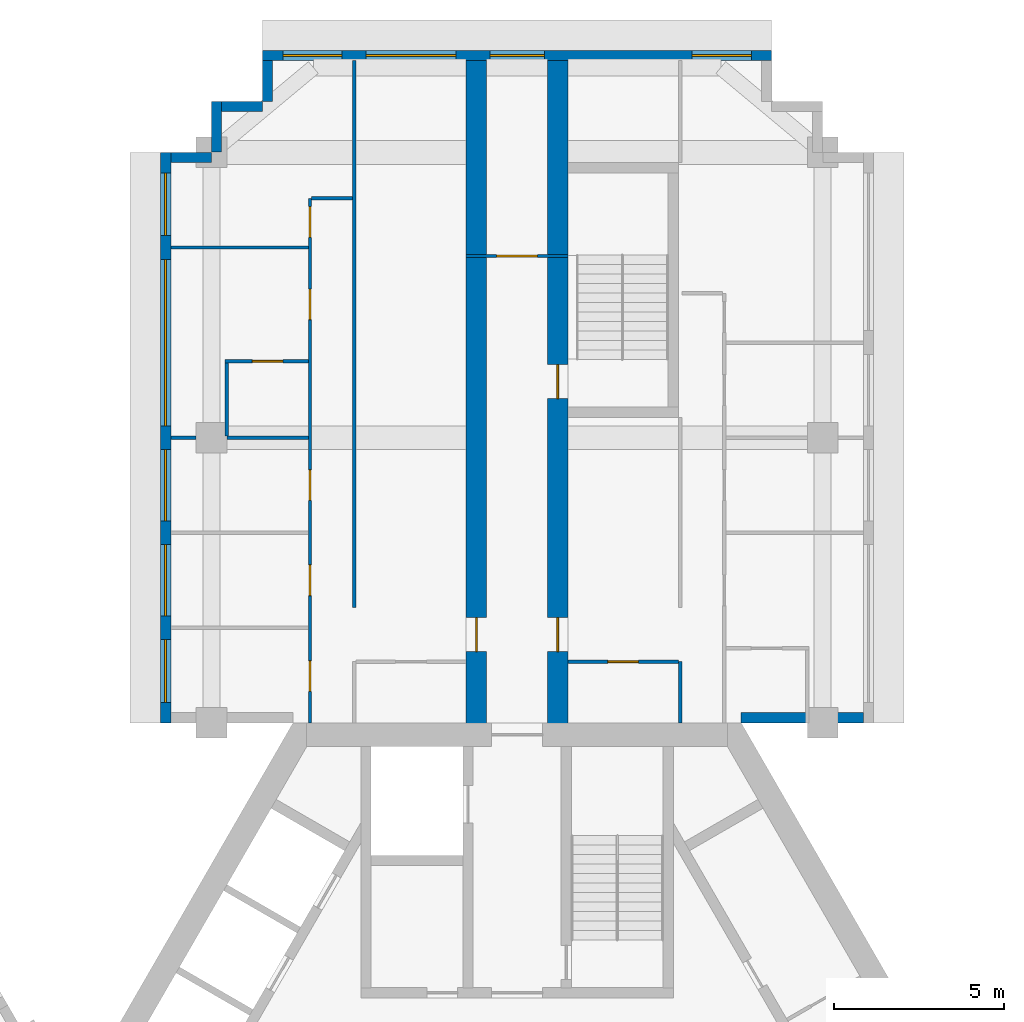
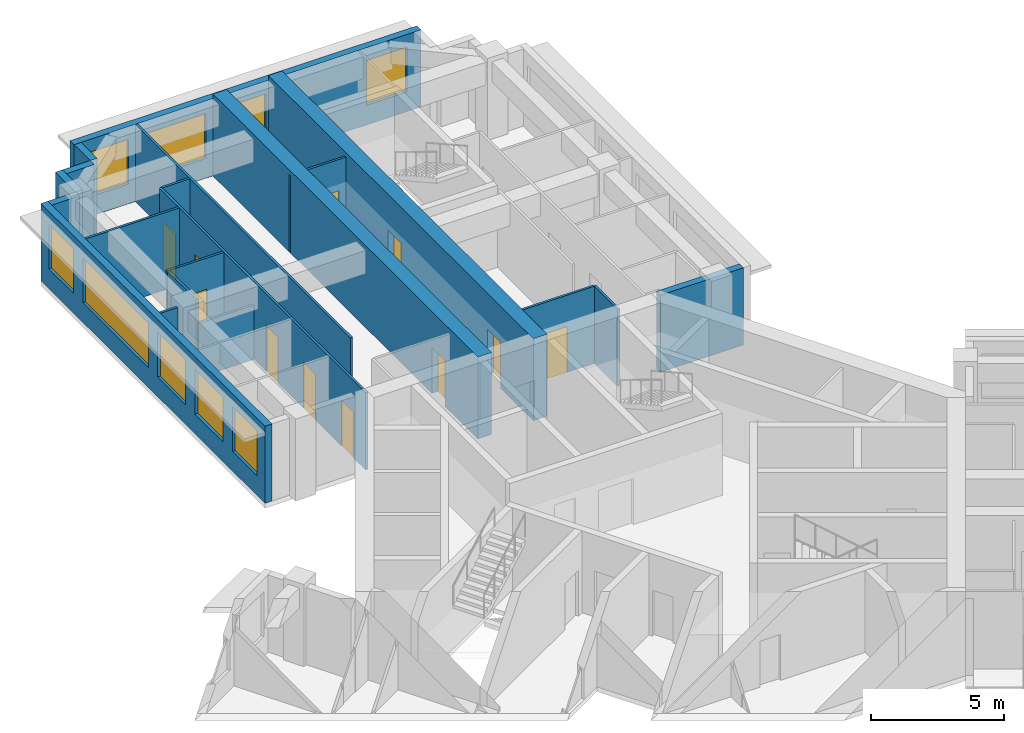
# One storey, part 7 of 11: 20 walls, 11 doors, 9 windows, 20 openings.
"""IFC4 building model written with IfcOpenShell, lengths in metres."""

from ifc_helpers import new_model, si_unit, direction, frame, frame_2d, origin, place, context, subcontext, project, spatial, rectangle, extrude, material, layer, layer_set, type_object, element, fill, save


model = new_model("IFC4")

# Units and contexts
model_context = context("Model", 3, precision=1e-05, world=origin(), true_north=direction((0.0, 1.0)))
body_context = subcontext(model_context, "Body", "Model", "MODEL_VIEW")
ifc_project = project(units=[si_unit("LENGTHUNIT", "METRE"), si_unit("AREAUNIT", "SQUARE_METRE"), si_unit("VOLUMEUNIT", "CUBIC_METRE"), si_unit("PLANEANGLEUNIT", "RADIAN"), si_unit("MASSUNIT", "GRAM", prefix="KILO")], contexts=[model_context])

# Site, building, storey
site_placement = place(None, origin())
site = spatial("IfcSite", under=ifc_project, at=site_placement, CompositionType="ELEMENT")
building_placement = place(site_placement, origin())
building = spatial("IfcBuilding", under=site, at=building_placement, Name="Impinga Residences", CompositionType="ELEMENT")
storey_placement = place(building_placement, frame((0.0, 0.0, 248.5)))
storey = spatial("IfcBuildingStorey", under=building, at=storey_placement, Name="L62", CompositionType="ELEMENT", Elevation=248.5)

# Wall, opening, door
ifc_material_1 = material(Name="Concrete C60/75", Category="concrete")
ifc_layer_1 = layer(ifc_material_1, 0.60009765625)
ifc_layer_set_1 = layer_set([ifc_layer_1], Name="Concrete C60/75")
wall_type_1 = type_object("IfcWallType", Name="BW3 corridor buttress wall, L46 to L73 600", PredefinedType="SHEAR", material=ifc_layer_set_1)
wall_1_placement = place(storey_placement, frame((-1.199951171875, 11.08154296875, 0.0), z_axis=(0.0, 0.0, 1.0), x_axis=(0.0, 1.0, 0.0)))
wall_1 = element("IfcWall", 1, at=wall_1_placement, inside=storey, type_object=wall_type_1, Name="Corridor wall BW3 NC L62", PredefinedType="SHEAR", context=body_context, shape_type="SweptSolid", body=[
    extrude(rectangle(XDim=19.85009765625, YDim=0.60009765625, at=frame_2d((9.925048828125, 0.0))), origin(), (0.0, 0.0, 1.0), 3.75),
])
opening_1_placement = place(wall_1_placement, frame((2.449951171875, 0.0, 0.0)))
opening_1 = element("IfcOpeningElement", 2, at=opening_1_placement, cuts=wall_1, Name="Opening D1", PredefinedType="OPENING", context=body_context, shape_type="SweptSolid", body=[
    extrude(rectangle(XDim=1.0, YDim=2.10009765625, at=frame_2d((0.5, 1.050048828125))), frame((0.0, 0.31005859375, 0.0), z_axis=(0.0, -1.0, 0.0), x_axis=(1.0, 0.0, 0.0)), (0.0, 0.0, 1.0), 0.6201171875),
])
ifc_material_2 = material(Name="Timber door set", Category="wood")
door_type_1 = type_object("IfcDoorType", Name="D1 apartment entrance door 1000x2100", OperationType="SINGLE_SWING_LEFT", PredefinedType="DOOR", material=ifc_material_2)
door_1_placement = place(opening_1_placement, origin())
door_1 = element("IfcDoor", 3, at=door_1_placement, inside=storey, type_object=door_type_1, Name="Apartment L62-NA1 entrance", OperationType="SINGLE_SWING_LEFT", OverallHeight=2.10009765625, OverallWidth=1.0, PredefinedType="DOOR", context=body_context, shape_type="SweptSolid", body=[
    extrude(rectangle(XDim=1.0, YDim=2.10009765625, at=frame_2d((0.5, 1.050048828125))), frame((0.0, 0.02490234375, 0.0), z_axis=(0.0, -1.0, 0.0), x_axis=(1.0, 0.0, 0.0)), (0.0, 0.0, 1.0), 0.050048828125),
])
fill(opening_1, door_1)

# Wall, openings, doors
wall_2_placement = place(storey_placement, frame((1.199951171875, 11.08154296875, 0.0), z_axis=(0.0, 0.0, 1.0), x_axis=(0.0, 1.0, 0.0)))
wall_2 = element("IfcWall", 4, at=wall_2_placement, inside=storey, type_object=wall_type_1, Name="Corridor wall BW3 ND L62", PredefinedType="SHEAR", context=body_context, shape_type="SweptSolid", body=[
    extrude(rectangle(XDim=19.85009765625, YDim=0.60009765625, at=frame_2d((9.925048828125, 0.0))), origin(), (0.0, 0.0, 1.0), 3.75),
])
opening_2_placement = place(wall_2_placement, frame((9.89990234375, 0.0, 0.0)))
opening_2 = element("IfcOpeningElement", 5, at=opening_2_placement, cuts=wall_2, Name="Opening D5", PredefinedType="OPENING", context=body_context, shape_type="SweptSolid", body=[
    extrude(rectangle(XDim=1.0, YDim=2.10009765625, at=frame_2d((0.5, 1.050048828125))), frame((0.0, 0.31005859375, 0.0), z_axis=(0.0, -1.0, 0.0), x_axis=(1.0, 0.0, 0.0)), (0.0, 0.0, 1.0), 0.6201171875),
])
opening_3_placement = place(wall_2_placement, frame((2.449951171875, 0.0, 0.0)))
opening_3 = element("IfcOpeningElement", 6, at=opening_3_placement, cuts=wall_2, Name="Opening D1", PredefinedType="OPENING", context=body_context, shape_type="SweptSolid", body=[
    extrude(rectangle(XDim=1.0, YDim=2.10009765625, at=frame_2d((0.5, 1.050048828125))), frame((0.0, 0.31005859375, 0.0), z_axis=(0.0, -1.0, 0.0), x_axis=(1.0, 0.0, 0.0)), (0.0, 0.0, 1.0), 0.6201171875),
])
door_2_placement = place(opening_3_placement, origin())
door_2 = element("IfcDoor", 7, at=door_2_placement, inside=storey, type_object=door_type_1, Name="Apartment L62-NF1 entrance", OperationType="SINGLE_SWING_LEFT", OverallHeight=2.10009765625, OverallWidth=1.0, PredefinedType="DOOR", context=body_context, shape_type="SweptSolid", body=[
    extrude(rectangle(XDim=1.0, YDim=2.10009765625, at=frame_2d((0.5, 1.050048828125))), frame((0.0, 0.02490234375, 0.0), z_axis=(0.0, -1.0, 0.0), x_axis=(1.0, 0.0, 0.0)), (0.0, 0.0, 1.0), 0.050048828125),
])
fill(opening_3, door_2)
door_type_2 = type_object("IfcDoorType", Name="D5 stair door 1000x2100", OperationType="SINGLE_SWING_LEFT", PredefinedType="DOOR", material=ifc_material_2)
door_3_placement = place(opening_2_placement, origin())
door_3 = element("IfcDoor", 8, at=door_3_placement, inside=storey, type_object=door_type_2, Name="Wing stair door N", OperationType="SINGLE_SWING_RIGHT", OverallHeight=2.10009765625, OverallWidth=1.0, PredefinedType="DOOR", context=body_context, shape_type="SweptSolid", body=[
    extrude(rectangle(XDim=1.0, YDim=2.10009765625, at=frame_2d((0.5, 1.050048828125))), frame((0.0, 0.02490234375, 0.0), z_axis=(0.0, -1.0, 0.0), x_axis=(1.0, 0.0, 0.0)), (0.0, 0.0, 1.0), 0.050048828125),
])
fill(opening_2, door_3)

# Wall, opening, door
ifc_material_3 = material(Name="Concrete blockwork", Category="masonry")
ifc_layer_2 = layer(ifc_material_3, 0.10009765625)
ifc_layer_set_2 = layer_set([ifc_layer_2], Name="CP1 core room partition, blockwork 100")
wall_type_2 = type_object("IfcWallType", Name="CP1 core room partition, blockwork 100", PredefinedType="PARTITIONING", material=ifc_layer_set_2)
wall_3_placement = place(storey_placement, frame((-1.5, 25.181640625, 0.0), z_axis=(0.0, 0.0, 1.0), x_axis=(1.0, 0.0, 0.0)))
wall_3 = element("IfcWall", 9, at=wall_3_placement, inside=storey, type_object=wall_type_2, Name="Core room partition, blockwork L62:N:LNG", PredefinedType="PARTITIONING", context=body_context, shape_type="SweptSolid", body=[
    extrude(rectangle(XDim=3.0, YDim=0.10009765625, at=frame_2d((1.5, 0.0))), origin(), (0.0, 0.0, 1.0), 3.530029296875),
])
opening_4_placement = place(wall_3_placement, frame((0.89990234375, 0.0, 0.0)))
opening_4 = element("IfcOpeningElement", 10, at=opening_4_placement, cuts=wall_3, Name="Opening D3", PredefinedType="OPENING", context=body_context, shape_type="SweptSolid", body=[
    extrude(rectangle(XDim=1.199951171875, YDim=2.10009765625, at=frame_2d((0.60009765625, 1.050048828125))), frame((0.0, 0.06005859375, 0.0), z_axis=(0.0, -1.0, 0.0), x_axis=(1.0, 0.0, 0.0)), (0.0, 0.0, 1.0), 0.1201171875),
])
door_type_3 = type_object("IfcDoorType", Name="D3 room door, leaf and a half 1200x2100", OperationType="DOUBLE_SWING_LEFT", PredefinedType="DOOR", material=ifc_material_2)
door_4_placement = place(opening_4_placement, origin())
door_4 = element("IfcDoor", 11, at=door_4_placement, inside=storey, type_object=door_type_3, Name="Residents' lounge door N", OperationType="DOUBLE_SWING_LEFT", OverallHeight=2.10009765625, OverallWidth=1.199951171875, PredefinedType="DOOR", context=body_context, shape_type="SweptSolid", body=[
    extrude(rectangle(XDim=1.199951171875, YDim=2.10009765625, at=frame_2d((0.60009765625, 1.050048828125))), frame((0.0, 0.02490234375, 0.0), z_axis=(0.0, -1.0, 0.0), x_axis=(1.0, 0.0, 0.0)), (0.0, 0.0, 1.0), 0.050048828125),
])
fill(opening_4, door_4)

# Wall, openings, windows
ifc_material_4 = material(Name="Terracotta rainscreen on blockwork", Category="masonry")
ifc_layer_3 = layer(ifc_material_4, 0.300048828125)
ifc_layer_set_3 = layer_set([ifc_layer_3], Name="EW1 external wall, terracotta rainscreen on blockwork 300")
wall_type_3 = type_object("IfcWallType", Name="EW1 external wall, terracotta rainscreen on blockwork 300", PredefinedType="SOLIDWALL", material=ifc_layer_set_3)
wall_4_placement = place(storey_placement, frame((-10.35009765625, 11.431640625, 0.0), z_axis=(0.0, 0.0, 1.0), x_axis=(0.0, 1.0, 0.0)))
wall_4 = element("IfcWall", 12, at=wall_4_placement, inside=storey, type_object=wall_type_3, Name="External wall EW1 L62", PredefinedType="SOLIDWALL", context=body_context, shape_type="SweptSolid", body=[
    extrude(rectangle(XDim=16.7998046875, YDim=0.300048828125, at=frame_2d((8.39990234375, 0.0))), origin(), (0.0, 0.0, 1.0), 3.530029296875),
])
opening_5_placement = place(wall_4_placement, frame((0.60009765625, 0.0, 0.89990234375)))
opening_5 = element("IfcOpeningElement", 13, at=opening_5_placement, cuts=wall_4, Name="Opening W15", PredefinedType="OPENING", context=body_context, shape_type="SweptSolid", body=[
    extrude(rectangle(XDim=1.85009765625, YDim=2.050048828125, at=frame_2d((0.925048828125, 1.02490234375))), frame((0.0, 0.159912109375, 0.0), z_axis=(0.0, -1.0, 0.0), x_axis=(1.0, 0.0, 0.0)), (0.0, 0.0, 1.0), 0.320068359375),
])
opening_6_placement = place(wall_4_placement, frame((3.14990234375, 0.0, 0.89990234375)))
opening_6 = element("IfcOpeningElement", 14, at=opening_6_placement, cuts=wall_4, Name="Opening W9", PredefinedType="OPENING", context=body_context, shape_type="SweptSolid", body=[
    extrude(rectangle(XDim=2.10009765625, YDim=2.050048828125, at=frame_2d((1.050048828125, 1.02490234375))), frame((0.0, 0.159912109375, 0.0), z_axis=(0.0, -1.0, 0.0), x_axis=(1.0, 0.0, 0.0)), (0.0, 0.0, 1.0), 0.320068359375),
])
opening_7_placement = place(wall_4_placement, frame((5.949951171875, 0.0, 0.89990234375)))
opening_7 = element("IfcOpeningElement", 15, at=opening_7_placement, cuts=wall_4, Name="Opening W9", PredefinedType="OPENING", context=body_context, shape_type="SweptSolid", body=[
    extrude(rectangle(XDim=2.10009765625, YDim=2.050048828125, at=frame_2d((1.050048828125, 1.02490234375))), frame((0.0, 0.159912109375, 0.0), z_axis=(0.0, -1.0, 0.0), x_axis=(1.0, 0.0, 0.0)), (0.0, 0.0, 1.0), 0.320068359375),
])
opening_8_placement = place(wall_4_placement, frame((8.75, 0.0, 0.89990234375)))
opening_8 = element("IfcOpeningElement", 16, at=opening_8_placement, cuts=wall_4, Name="Opening W16", PredefinedType="OPENING", context=body_context, shape_type="SweptSolid", body=[
    extrude(rectangle(XDim=4.89990234375, YDim=2.050048828125, at=frame_2d((2.449951171875, 1.02490234375))), frame((0.0, 0.159912109375, 0.0), z_axis=(0.0, -1.0, 0.0), x_axis=(1.0, 0.0, 0.0)), (0.0, 0.0, 1.0), 0.320068359375),
])
opening_9_placement = place(wall_4_placement, frame((14.35009765625, 0.0, 0.89990234375)))
opening_9 = element("IfcOpeningElement", 17, at=opening_9_placement, cuts=wall_4, Name="Opening W15", PredefinedType="OPENING", context=body_context, shape_type="SweptSolid", body=[
    extrude(rectangle(XDim=1.85009765625, YDim=2.050048828125, at=frame_2d((0.925048828125, 1.02490234375))), frame((0.0, 0.159912109375, 0.0), z_axis=(0.0, -1.0, 0.0), x_axis=(1.0, 0.0, 0.0)), (0.0, 0.0, 1.0), 0.320068359375),
])
ifc_material_5 = material(Name="Aluminium window, clear double glazing", Category="aluminium")
window_type_1 = type_object("IfcWindowType", Name="W15 ribbon window 1850x2050", PartitioningType="SINGLE_PANEL", PredefinedType="WINDOW", material=ifc_material_5)
window_1_placement = place(opening_5_placement, origin())
window_1 = element("IfcWindow", 18, at=window_1_placement, inside=storey, type_object=window_type_1, Name="Window L62", OverallHeight=2.050048828125, OverallWidth=1.85009765625, PartitioningType="SINGLE_PANEL", PredefinedType="WINDOW", context=body_context, shape_type="SweptSolid", body=[
    extrude(rectangle(XDim=1.85009765625, YDim=2.050048828125, at=frame_2d((0.925048828125, 1.02490234375))), frame((0.0, 0.030029296875, 0.0), z_axis=(0.0, -1.0, 0.0), x_axis=(1.0, 0.0, 0.0)), (0.0, 0.0, 1.0), 0.06005859375),
])
fill(opening_5, window_1)
window_2_placement = place(opening_9_placement, origin())
window_2 = element("IfcWindow", 19, at=window_2_placement, inside=storey, type_object=window_type_1, Name="Window L62", OverallHeight=2.050048828125, OverallWidth=1.85009765625, PartitioningType="SINGLE_PANEL", PredefinedType="WINDOW", context=body_context, shape_type="SweptSolid", body=[
    extrude(rectangle(XDim=1.85009765625, YDim=2.050048828125, at=frame_2d((0.925048828125, 1.02490234375))), frame((0.0, 0.030029296875, 0.0), z_axis=(0.0, -1.0, 0.0), x_axis=(1.0, 0.0, 0.0)), (0.0, 0.0, 1.0), 0.06005859375),
])
fill(opening_9, window_2)
window_type_2 = type_object("IfcWindowType", Name="W16 ribbon window 4900x2050", PartitioningType="SINGLE_PANEL", PredefinedType="WINDOW", material=ifc_material_5)
window_3_placement = place(opening_8_placement, origin())
window_3 = element("IfcWindow", 20, at=window_3_placement, inside=storey, type_object=window_type_2, Name="Window L62", OverallHeight=2.050048828125, OverallWidth=4.89990234375, PartitioningType="SINGLE_PANEL", PredefinedType="WINDOW", context=body_context, shape_type="SweptSolid", body=[
    extrude(rectangle(XDim=4.89990234375, YDim=2.050048828125, at=frame_2d((2.449951171875, 1.02490234375))), frame((0.0, 0.030029296875, 0.0), z_axis=(0.0, -1.0, 0.0), x_axis=(1.0, 0.0, 0.0)), (0.0, 0.0, 1.0), 0.06005859375),
])
fill(opening_8, window_3)
window_type_3 = type_object("IfcWindowType", Name="W9 ribbon window 2100x2050", PartitioningType="SINGLE_PANEL", PredefinedType="WINDOW", material=ifc_material_5)
window_4_placement = place(opening_6_placement, origin())
window_4 = element("IfcWindow", 21, at=window_4_placement, inside=storey, type_object=window_type_3, Name="Window L62", OverallHeight=2.050048828125, OverallWidth=2.10009765625, PartitioningType="SINGLE_PANEL", PredefinedType="WINDOW", context=body_context, shape_type="SweptSolid", body=[
    extrude(rectangle(XDim=2.10009765625, YDim=2.050048828125, at=frame_2d((1.050048828125, 1.02490234375))), frame((0.0, 0.030029296875, 0.0), z_axis=(0.0, -1.0, 0.0), x_axis=(1.0, 0.0, 0.0)), (0.0, 0.0, 1.0), 0.06005859375),
])
fill(opening_6, window_4)
window_5_placement = place(opening_7_placement, origin())
window_5 = element("IfcWindow", 22, at=window_5_placement, inside=storey, type_object=window_type_3, Name="Window L62", OverallHeight=2.050048828125, OverallWidth=2.10009765625, PartitioningType="SINGLE_PANEL", PredefinedType="WINDOW", context=body_context, shape_type="SweptSolid", body=[
    extrude(rectangle(XDim=2.10009765625, YDim=2.050048828125, at=frame_2d((1.050048828125, 1.02490234375))), frame((0.0, 0.030029296875, 0.0), z_axis=(0.0, -1.0, 0.0), x_axis=(1.0, 0.0, 0.0)), (0.0, 0.0, 1.0), 0.06005859375),
])
fill(opening_7, window_5)

# Walls
wall_5_placement = place(storey_placement, frame((-10.199951171875, 28.08154296875, 0.0), z_axis=(0.0, 0.0, 1.0), x_axis=(1.0, 0.0, 0.0)))
element("IfcWall", 23, at=wall_5_placement, inside=storey, type_object=wall_type_3, Name="External wall EW1 L62", PredefinedType="SOLIDWALL", context=body_context, shape_type="SweptSolid", body=[
    extrude(rectangle(XDim=1.199951171875, YDim=0.300048828125, at=frame_2d((0.60009765625, 0.0))), origin(), (0.0, 0.0, 1.0), 3.530029296875),
])
wall_6_placement = place(storey_placement, frame((-8.85009765625, 28.236572265625, 0.0), z_axis=(0.0, 0.0, 1.0), x_axis=(0.0, 1.0, 0.0)))
element("IfcWall", 24, at=wall_6_placement, inside=storey, type_object=wall_type_3, Name="External wall EW1 L62", PredefinedType="SOLIDWALL", context=body_context, shape_type="SweptSolid", body=[
    extrude(rectangle(XDim=1.494873046875, YDim=0.300048828125, at=frame_2d((0.74755859375, 0.0))), origin(), (0.0, 0.0, 1.0), 3.530029296875),
])
wall_7_placement = place(storey_placement, frame((-8.699951171875, 29.58154296875, 0.0), z_axis=(0.0, 0.0, 1.0), x_axis=(1.0, 0.0, 0.0)))
element("IfcWall", 25, at=wall_7_placement, inside=storey, type_object=wall_type_3, Name="External wall EW1 L62", PredefinedType="SOLIDWALL", context=body_context, shape_type="SweptSolid", body=[
    extrude(rectangle(XDim=1.199951171875, YDim=0.300048828125, at=frame_2d((0.60009765625, 0.0))), origin(), (0.0, 0.0, 1.0), 3.530029296875),
])
wall_8_placement = place(storey_placement, frame((-7.35009765625, 29.736572265625, 0.0), z_axis=(0.0, 0.0, 1.0), x_axis=(0.0, 1.0, 0.0)))
element("IfcWall", 26, at=wall_8_placement, inside=storey, type_object=wall_type_3, Name="External wall EW1 L62", PredefinedType="SOLIDWALL", context=body_context, shape_type="SweptSolid", body=[
    extrude(rectangle(XDim=1.195068359375, YDim=0.300048828125, at=frame_2d((0.59765625, 0.0))), origin(), (0.0, 0.0, 1.0), 3.530029296875),
])

# Wall, openings, windows
wall_9_placement = place(storey_placement, frame((-7.5, 31.08154296875, 0.0), z_axis=(0.0, 0.0, 1.0), x_axis=(1.0, 0.0, 0.0)))
wall_9 = element("IfcWall", 27, at=wall_9_placement, inside=storey, type_object=wall_type_3, Name="External wall EW1 L62", PredefinedType="SOLIDWALL", context=body_context, shape_type="SweptSolid", body=[
    extrude(rectangle(XDim=15.0, YDim=0.300048828125, at=frame_2d((7.5, 0.0))), origin(), (0.0, 0.0, 1.0), 3.530029296875),
])
opening_10_placement = place(wall_9_placement, frame((0.60009765625, 0.0, 0.89990234375)))
opening_10 = element("IfcOpeningElement", 28, at=opening_10_placement, cuts=wall_9, Name="Opening W1", PredefinedType="OPENING", context=body_context, shape_type="SweptSolid", body=[
    extrude(rectangle(XDim=1.75, YDim=2.050048828125, at=frame_2d((0.875, 1.02490234375))), frame((0.0, 0.159912109375, 0.0), z_axis=(0.0, -1.0, 0.0), x_axis=(1.0, 0.0, 0.0)), (0.0, 0.0, 1.0), 0.320068359375),
])
opening_11_placement = place(wall_9_placement, frame((3.050048828125, 0.0, 0.89990234375)))
opening_11 = element("IfcOpeningElement", 29, at=opening_11_placement, cuts=wall_9, Name="Opening W18", PredefinedType="OPENING", context=body_context, shape_type="SweptSolid", body=[
    extrude(rectangle(XDim=2.64990234375, YDim=2.050048828125, at=frame_2d((1.324951171875, 1.02490234375))), frame((0.0, 0.159912109375, 0.0), z_axis=(0.0, -1.0, 0.0), x_axis=(1.0, 0.0, 0.0)), (0.0, 0.0, 1.0), 0.320068359375),
])
opening_12_placement = place(wall_9_placement, frame((6.699951171875, 0.0, 0.89990234375)))
opening_12 = element("IfcOpeningElement", 30, at=opening_12_placement, cuts=wall_9, Name="Opening W19", PredefinedType="OPENING", context=body_context, shape_type="SweptSolid", body=[
    extrude(rectangle(XDim=1.60009765625, YDim=2.050048828125, at=frame_2d((0.800048828125, 1.02490234375))), frame((0.0, 0.159912109375, 0.0), z_axis=(0.0, -1.0, 0.0), x_axis=(1.0, 0.0, 0.0)), (0.0, 0.0, 1.0), 0.320068359375),
])
opening_13_placement = place(wall_9_placement, frame((12.64990234375, 0.0, 0.89990234375)))
opening_13 = element("IfcOpeningElement", 31, at=opening_13_placement, cuts=wall_9, Name="Opening W1", PredefinedType="OPENING", context=body_context, shape_type="SweptSolid", body=[
    extrude(rectangle(XDim=1.75, YDim=2.050048828125, at=frame_2d((0.875, 1.02490234375))), frame((0.0, 0.159912109375, 0.0), z_axis=(0.0, -1.0, 0.0), x_axis=(1.0, 0.0, 0.0)), (0.0, 0.0, 1.0), 0.320068359375),
])
window_type_4 = type_object("IfcWindowType", Name="W1 ribbon window 1750x2050", PartitioningType="SINGLE_PANEL", PredefinedType="WINDOW", material=ifc_material_5)
window_6_placement = place(opening_10_placement, origin())
window_6 = element("IfcWindow", 32, at=window_6_placement, inside=storey, type_object=window_type_4, Name="Window L62", OverallHeight=2.050048828125, OverallWidth=1.75, PartitioningType="SINGLE_PANEL", PredefinedType="WINDOW", context=body_context, shape_type="SweptSolid", body=[
    extrude(rectangle(XDim=1.75, YDim=2.050048828125, at=frame_2d((0.875, 1.02490234375))), frame((0.0, 0.030029296875, 0.0), z_axis=(0.0, -1.0, 0.0), x_axis=(1.0, 0.0, 0.0)), (0.0, 0.0, 1.0), 0.06005859375),
])
fill(opening_10, window_6)
window_7_placement = place(opening_13_placement, origin())
window_7 = element("IfcWindow", 33, at=window_7_placement, inside=storey, type_object=window_type_4, Name="Window L62", OverallHeight=2.050048828125, OverallWidth=1.75, PartitioningType="SINGLE_PANEL", PredefinedType="WINDOW", context=body_context, shape_type="SweptSolid", body=[
    extrude(rectangle(XDim=1.75, YDim=2.050048828125, at=frame_2d((0.875, 1.02490234375))), frame((0.0, 0.030029296875, 0.0), z_axis=(0.0, -1.0, 0.0), x_axis=(1.0, 0.0, 0.0)), (0.0, 0.0, 1.0), 0.06005859375),
])
fill(opening_13, window_7)
window_type_5 = type_object("IfcWindowType", Name="W18 ribbon window 2650x2050", PartitioningType="SINGLE_PANEL", PredefinedType="WINDOW", material=ifc_material_5)
window_8_placement = place(opening_11_placement, origin())
window_8 = element("IfcWindow", 34, at=window_8_placement, inside=storey, type_object=window_type_5, Name="Window L62", OverallHeight=2.050048828125, OverallWidth=2.64990234375, PartitioningType="SINGLE_PANEL", PredefinedType="WINDOW", context=body_context, shape_type="SweptSolid", body=[
    extrude(rectangle(XDim=2.64990234375, YDim=2.050048828125, at=frame_2d((1.324951171875, 1.02490234375))), frame((0.0, 0.030029296875, 0.0), z_axis=(0.0, -1.0, 0.0), x_axis=(1.0, 0.0, 0.0)), (0.0, 0.0, 1.0), 0.06005859375),
])
fill(opening_11, window_8)
window_type_6 = type_object("IfcWindowType", Name="W19 ribbon window 1600x2050", PartitioningType="SINGLE_PANEL", PredefinedType="WINDOW", material=ifc_material_5)
window_9_placement = place(opening_12_placement, origin())
window_9 = element("IfcWindow", 35, at=window_9_placement, inside=storey, type_object=window_type_6, Name="Window L62", OverallHeight=2.050048828125, OverallWidth=1.60009765625, PartitioningType="SINGLE_PANEL", PredefinedType="WINDOW", context=body_context, shape_type="SweptSolid", body=[
    extrude(rectangle(XDim=1.60009765625, YDim=2.050048828125, at=frame_2d((0.800048828125, 1.02490234375))), frame((0.0, 0.030029296875, 0.0), z_axis=(0.0, -1.0, 0.0), x_axis=(1.0, 0.0, 0.0)), (0.0, 0.0, 1.0), 0.06005859375),
])
fill(opening_12, window_9)

# Walls
wall_10_placement = place(storey_placement, frame((10.199951171875, 11.58154296875, 0.0), z_axis=(0.0, 0.0, 1.0), x_axis=(-1.0, 0.0, 0.0)))
element("IfcWall", 36, at=wall_10_placement, inside=storey, type_object=wall_type_3, Name="External wall EW1 L62", PredefinedType="SOLIDWALL", context=body_context, shape_type="SweptSolid", body=[
    extrude(rectangle(XDim=3.599853515625, YDim=0.300048828125, at=frame_2d((1.7998046875, 0.0))), origin(), (0.0, 0.0, 1.0), 3.530029296875),
])
ifc_material_6 = material(Name="Gypsum board on steel studs", Category="steel")
ifc_layer_4 = layer(ifc_material_6, 0.10009765625)
ifc_layer_set_4 = layer_set([ifc_layer_4], Name="Gypsum board on steel studs")
wall_type_4 = type_object("IfcWallType", Name="IP1 partition 100", PredefinedType="PARTITIONING", material=ifc_layer_set_4)
wall_11_placement = place(storey_placement, frame((-4.800048828125, 14.83154296875, 0.0), z_axis=(0.0, 0.0, 1.0), x_axis=(0.0, 1.0, 0.0)))
element("IfcWall", 37, at=wall_11_placement, inside=storey, type_object=wall_type_4, Name="Partition L62-NA1:DIV1", PredefinedType="PARTITIONING", context=body_context, shape_type="SweptSolid", body=[
    extrude(rectangle(XDim=16.10009765625, YDim=0.10009765625, at=frame_2d((8.050048828125, 0.0))), origin(), (0.0, 0.0, 1.0), 3.530029296875),
])

# Wall, openings, doors
wall_12_placement = place(storey_placement, frame((-6.10009765625, 11.431640625, 0.0), z_axis=(0.0, 0.0, 1.0), x_axis=(0.0, 1.0, 0.0)))
wall_12 = element("IfcWall", 38, at=wall_12_placement, inside=storey, type_object=wall_type_4, Name="Partition L62-NA1:STRIP", PredefinedType="PARTITIONING", context=body_context, shape_type="SweptSolid", body=[
    extrude(rectangle(XDim=15.449951171875, YDim=0.10009765625, at=frame_2d((7.72509765625, 0.0))), origin(), (0.0, 0.0, 1.0), 3.530029296875),
])
opening_14_placement = place(wall_12_placement, frame((0.925048828125, 0.0, 0.0)))
opening_14 = element("IfcOpeningElement", 39, at=opening_14_placement, cuts=wall_12, Name="Opening D2", PredefinedType="OPENING", context=body_context, shape_type="SweptSolid", body=[
    extrude(rectangle(XDim=0.89990234375, YDim=2.10009765625, at=frame_2d((0.449951171875, 1.050048828125))), frame((0.0, 0.06005859375, 0.0), z_axis=(0.0, -1.0, 0.0), x_axis=(1.0, 0.0, 0.0)), (0.0, 0.0, 1.0), 0.1201171875),
])
opening_15_placement = place(wall_12_placement, frame((3.75, 0.0, 0.0)))
opening_15 = element("IfcOpeningElement", 40, at=opening_15_placement, cuts=wall_12, Name="Opening D2", PredefinedType="OPENING", context=body_context, shape_type="SweptSolid", body=[
    extrude(rectangle(XDim=0.89990234375, YDim=2.10009765625, at=frame_2d((0.449951171875, 1.050048828125))), frame((0.0, 0.06005859375, 0.0), z_axis=(0.0, -1.0, 0.0), x_axis=(1.0, 0.0, 0.0)), (0.0, 0.0, 1.0), 0.1201171875),
])
opening_16_placement = place(wall_12_placement, frame((6.550048828125, 0.0, 0.0)))
opening_16 = element("IfcOpeningElement", 41, at=opening_16_placement, cuts=wall_12, Name="Opening D2", PredefinedType="OPENING", context=body_context, shape_type="SweptSolid", body=[
    extrude(rectangle(XDim=0.89990234375, YDim=2.10009765625, at=frame_2d((0.449951171875, 1.050048828125))), frame((0.0, 0.06005859375, 0.0), z_axis=(0.0, -1.0, 0.0), x_axis=(1.0, 0.0, 0.0)), (0.0, 0.0, 1.0), 0.1201171875),
])
opening_17_placement = place(wall_12_placement, frame((11.875, 0.0, 0.0)))
opening_17 = element("IfcOpeningElement", 42, at=opening_17_placement, cuts=wall_12, Name="Opening D2", PredefinedType="OPENING", context=body_context, shape_type="SweptSolid", body=[
    extrude(rectangle(XDim=0.89990234375, YDim=2.10009765625, at=frame_2d((0.449951171875, 1.050048828125))), frame((0.0, 0.06005859375, 0.0), z_axis=(0.0, -1.0, 0.0), x_axis=(1.0, 0.0, 0.0)), (0.0, 0.0, 1.0), 0.1201171875),
])
opening_18_placement = place(wall_12_placement, frame((14.300048828125, 0.0, 0.0)))
opening_18 = element("IfcOpeningElement", 43, at=opening_18_placement, cuts=wall_12, Name="Opening D2", PredefinedType="OPENING", context=body_context, shape_type="SweptSolid", body=[
    extrude(rectangle(XDim=0.89990234375, YDim=2.10009765625, at=frame_2d((0.449951171875, 1.050048828125))), frame((0.0, 0.06005859375, 0.0), z_axis=(0.0, -1.0, 0.0), x_axis=(1.0, 0.0, 0.0)), (0.0, 0.0, 1.0), 0.1201171875),
])
door_type_4 = type_object("IfcDoorType", Name="D2 internal door 900x2100", OperationType="SINGLE_SWING_LEFT", PredefinedType="DOOR", material=ifc_material_2)
door_5_placement = place(opening_14_placement, origin())
door_5 = element("IfcDoor", 44, at=door_5_placement, inside=storey, type_object=door_type_4, Name="Apartment L62-NA1 room door", OperationType="SINGLE_SWING_LEFT", OverallHeight=2.10009765625, OverallWidth=0.89990234375, PredefinedType="DOOR", context=body_context, shape_type="SweptSolid", body=[
    extrude(rectangle(XDim=0.89990234375, YDim=2.10009765625, at=frame_2d((0.449951171875, 1.050048828125))), frame((0.0, 0.02490234375, 0.0), z_axis=(0.0, -1.0, 0.0), x_axis=(1.0, 0.0, 0.0)), (0.0, 0.0, 1.0), 0.050048828125),
])
fill(opening_14, door_5)
door_6_placement = place(opening_15_placement, origin())
door_6 = element("IfcDoor", 45, at=door_6_placement, inside=storey, type_object=door_type_4, Name="Apartment L62-NA1 room door", OperationType="SINGLE_SWING_LEFT", OverallHeight=2.10009765625, OverallWidth=0.89990234375, PredefinedType="DOOR", context=body_context, shape_type="SweptSolid", body=[
    extrude(rectangle(XDim=0.89990234375, YDim=2.10009765625, at=frame_2d((0.449951171875, 1.050048828125))), frame((0.0, 0.02490234375, 0.0), z_axis=(0.0, -1.0, 0.0), x_axis=(1.0, 0.0, 0.0)), (0.0, 0.0, 1.0), 0.050048828125),
])
fill(opening_15, door_6)
door_7_placement = place(opening_16_placement, origin())
door_7 = element("IfcDoor", 46, at=door_7_placement, inside=storey, type_object=door_type_4, Name="Apartment L62-NA1 room door", OperationType="SINGLE_SWING_LEFT", OverallHeight=2.10009765625, OverallWidth=0.89990234375, PredefinedType="DOOR", context=body_context, shape_type="SweptSolid", body=[
    extrude(rectangle(XDim=0.89990234375, YDim=2.10009765625, at=frame_2d((0.449951171875, 1.050048828125))), frame((0.0, 0.02490234375, 0.0), z_axis=(0.0, -1.0, 0.0), x_axis=(1.0, 0.0, 0.0)), (0.0, 0.0, 1.0), 0.050048828125),
])
fill(opening_16, door_7)
door_8_placement = place(opening_17_placement, origin())
door_8 = element("IfcDoor", 47, at=door_8_placement, inside=storey, type_object=door_type_4, Name="Apartment L62-NA1 room door", OperationType="SINGLE_SWING_RIGHT", OverallHeight=2.10009765625, OverallWidth=0.89990234375, PredefinedType="DOOR", context=body_context, shape_type="SweptSolid", body=[
    extrude(rectangle(XDim=0.89990234375, YDim=2.10009765625, at=frame_2d((0.449951171875, 1.050048828125))), frame((0.0, 0.02490234375, 0.0), z_axis=(0.0, -1.0, 0.0), x_axis=(1.0, 0.0, 0.0)), (0.0, 0.0, 1.0), 0.050048828125),
])
fill(opening_17, door_8)
door_9_placement = place(opening_18_placement, origin())
door_9 = element("IfcDoor", 48, at=door_9_placement, inside=storey, type_object=door_type_4, Name="Apartment L62-NA1 room door", OperationType="SINGLE_SWING_RIGHT", OverallHeight=2.10009765625, OverallWidth=0.89990234375, PredefinedType="DOOR", context=body_context, shape_type="SweptSolid", body=[
    extrude(rectangle(XDim=0.89990234375, YDim=2.10009765625, at=frame_2d((0.449951171875, 1.050048828125))), frame((0.0, 0.02490234375, 0.0), z_axis=(0.0, -1.0, 0.0), x_axis=(1.0, 0.0, 0.0)), (0.0, 0.0, 1.0), 0.050048828125),
])
fill(opening_18, door_9)

# Walls
wall_13_placement = place(storey_placement, frame((-4.85009765625, 26.881591796875, 0.0), z_axis=(0.0, 0.0, 1.0), x_axis=(-1.0, 0.0, 0.0)))
element("IfcWall", 49, at=wall_13_placement, inside=storey, type_object=wall_type_4, Name="Partition L62-NA1:SE1", PredefinedType="PARTITIONING", context=body_context, shape_type="SweptSolid", body=[
    extrude(rectangle(XDim=1.199951171875, YDim=0.10009765625, at=frame_2d((0.60009765625, 0.0))), origin(), (0.0, 0.0, 1.0), 3.530029296875),
])
wall_14_placement = place(storey_placement, frame((-6.14990234375, 19.83154296875, 0.0), z_axis=(0.0, 0.0, 1.0), x_axis=(-1.0, 0.0, 0.0)))
element("IfcWall", 50, at=wall_14_placement, inside=storey, type_object=wall_type_4, Name="Partition L62-NA1:OB3", PredefinedType="PARTITIONING", context=body_context, shape_type="SweptSolid", body=[
    extrude(rectangle(XDim=2.400146484375, YDim=0.10009765625, at=frame_2d((1.2001953125, 0.0))), origin(), (0.0, 0.0, 1.0), 2.47998046875),
])
wall_15_placement = place(storey_placement, frame((-9.449951171875, 19.83154296875, 0.0), z_axis=(0.0, 0.0, 1.0), x_axis=(-1.0, 0.0, 0.0)))
element("IfcWall", 51, at=wall_15_placement, inside=storey, type_object=wall_type_4, Name="Partition L62-NA1:OB3b", PredefinedType="PARTITIONING", context=body_context, shape_type="SweptSolid", body=[
    extrude(rectangle(XDim=0.75, YDim=0.10009765625, at=frame_2d((0.375, 0.0))), origin(), (0.0, 0.0, 1.0), 3.530029296875),
])
wall_16_placement = place(storey_placement, frame((-6.14990234375, 25.431640625, 0.0), z_axis=(0.0, 0.0, 1.0), x_axis=(-1.0, 0.0, 0.0)))
element("IfcWall", 52, at=wall_16_placement, inside=storey, type_object=wall_type_4, Name="Partition L62-NA1:OB4", PredefinedType="PARTITIONING", context=body_context, shape_type="SweptSolid", body=[
    extrude(rectangle(XDim=4.050048828125, YDim=0.10009765625, at=frame_2d((2.02490234375, 0.0))), origin(), (0.0, 0.0, 1.0), 3.530029296875),
])

# Wall, opening, door
wall_17_placement = place(storey_placement, frame((-6.14990234375, 22.08154296875, 0.0), z_axis=(0.0, 0.0, 1.0), x_axis=(-1.0, 0.0, 0.0)))
wall_17 = element("IfcWall", 53, at=wall_17_placement, inside=storey, type_object=wall_type_4, Name="Partition L62-NA1:EN1", PredefinedType="PARTITIONING", context=body_context, shape_type="SweptSolid", body=[
    extrude(rectangle(XDim=2.4501953125, YDim=0.10009765625, at=frame_2d((1.22509765625, 0.0))), origin(), (0.0, 0.0, 1.0), 3.530029296875),
])
opening_19_placement = place(wall_17_placement, frame((0.75, 0.0, 0.0)))
opening_19 = element("IfcOpeningElement", 54, at=opening_19_placement, cuts=wall_17, Name="Opening D2", PredefinedType="OPENING", context=body_context, shape_type="SweptSolid", body=[
    extrude(rectangle(XDim=0.89990234375, YDim=2.10009765625, at=frame_2d((0.449951171875, 1.050048828125))), frame((0.0, 0.06005859375, 0.0), z_axis=(0.0, -1.0, 0.0), x_axis=(1.0, 0.0, 0.0)), (0.0, 0.0, 1.0), 0.1201171875),
])
door_10_placement = place(opening_19_placement, origin())
door_10 = element("IfcDoor", 55, at=door_10_placement, inside=storey, type_object=door_type_4, Name="Apartment L62-NA1 en-suite door", OperationType="SINGLE_SWING_LEFT", OverallHeight=2.10009765625, OverallWidth=0.89990234375, PredefinedType="DOOR", context=body_context, shape_type="SweptSolid", body=[
    extrude(rectangle(XDim=0.89990234375, YDim=2.10009765625, at=frame_2d((0.449951171875, 1.050048828125))), frame((0.0, 0.02490234375, 0.0), z_axis=(0.0, -1.0, 0.0), x_axis=(1.0, 0.0, 0.0)), (0.0, 0.0, 1.0), 0.050048828125),
])
fill(opening_19, door_10)

# Walls
wall_18_placement = place(storey_placement, frame((-8.550048828125, 19.881591796875, 0.0), z_axis=(0.0, 0.0, 1.0), x_axis=(0.0, 1.0, 0.0)))
element("IfcWall", 56, at=wall_18_placement, inside=storey, type_object=wall_type_4, Name="Partition L62-NA1:EN2", PredefinedType="PARTITIONING", context=body_context, shape_type="SweptSolid", body=[
    extrude(rectangle(XDim=2.14990234375, YDim=0.10009765625, at=frame_2d((1.074951171875, 0.0))), origin(), (0.0, 0.0, 1.0), 3.530029296875),
])
wall_19_placement = place(storey_placement, frame((4.800048828125, 11.431640625, 0.0), z_axis=(0.0, 0.0, 1.0), x_axis=(0.0, 1.0, 0.0)))
element("IfcWall", 57, at=wall_19_placement, inside=storey, type_object=wall_type_4, Name="Partition L62-NF1:DIV0", PredefinedType="PARTITIONING", context=body_context, shape_type="SweptSolid", body=[
    extrude(rectangle(XDim=1.7998046875, YDim=0.10009765625, at=frame_2d((0.89990234375, 0.0))), origin(), (0.0, 0.0, 1.0), 3.530029296875),
])

# Wall, opening, door
wall_20_placement = place(storey_placement, frame((1.5, 13.2314453125, 0.0), z_axis=(0.0, 0.0, 1.0), x_axis=(1.0, 0.0, 0.0)))
wall_20 = element("IfcWall", 58, at=wall_20_placement, inside=storey, type_object=wall_type_4, Name="Partition L62-NF1:IB1", PredefinedType="PARTITIONING", context=body_context, shape_type="SweptSolid", body=[
    extrude(rectangle(XDim=3.25, YDim=0.10009765625, at=frame_2d((1.625, 0.0))), origin(), (0.0, 0.0, 1.0), 3.530029296875),
])
opening_20_placement = place(wall_20_placement, frame((1.175048828125, 0.0, 0.0)))
opening_20 = element("IfcOpeningElement", 59, at=opening_20_placement, cuts=wall_20, Name="Opening D2", PredefinedType="OPENING", context=body_context, shape_type="SweptSolid", body=[
    extrude(rectangle(XDim=0.89990234375, YDim=2.10009765625, at=frame_2d((0.449951171875, 1.050048828125))), frame((0.0, 0.06005859375, 0.0), z_axis=(0.0, -1.0, 0.0), x_axis=(1.0, 0.0, 0.0)), (0.0, 0.0, 1.0), 0.1201171875),
])
door_11_placement = place(opening_20_placement, origin())
door_11 = element("IfcDoor", 60, at=door_11_placement, inside=storey, type_object=door_type_4, Name="Apartment L62-NF1 bathroom door", OperationType="SINGLE_SWING_LEFT", OverallHeight=2.10009765625, OverallWidth=0.89990234375, PredefinedType="DOOR", context=body_context, shape_type="SweptSolid", body=[
    extrude(rectangle(XDim=0.89990234375, YDim=2.10009765625, at=frame_2d((0.449951171875, 1.050048828125))), frame((0.0, 0.02490234375, 0.0), z_axis=(0.0, -1.0, 0.0), x_axis=(1.0, 0.0, 0.0)), (0.0, 0.0, 1.0), 0.050048828125),
])
fill(opening_20, door_11)

save(model, "model.ifc")
